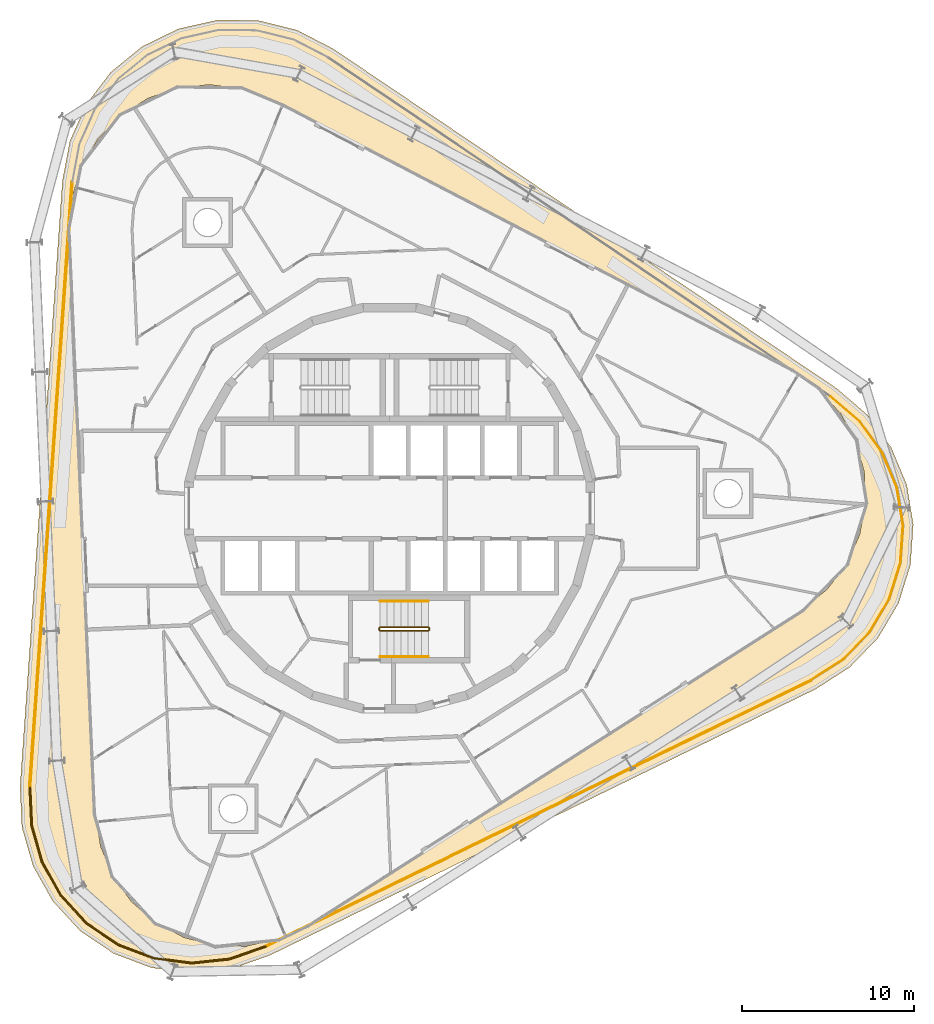
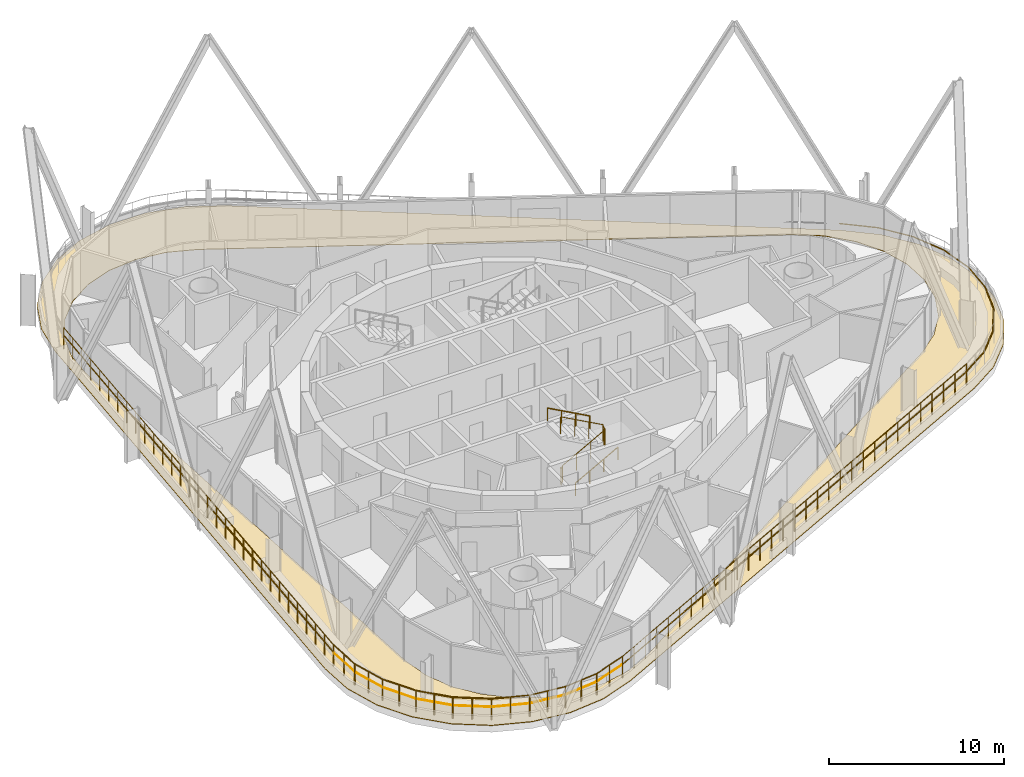
# One storey, part 18 of 20: 10 railings, 1 covering.
"""IFC4 building model written with IfcOpenShell, lengths in metres."""

import ifcopenshell
import ifcopenshell.guid

model = None  # the IFC model being written
_history = None  # IfcOwnerHistory: only IFC2X3 demands one
_inside = {}  # id of a spatial element -> (the spatial element, [elements in it])
_under = {}  # id of a project, library or spatial element -> (it, [spatial elements below it])
_declared = {}  # id of a project -> (the project, [libraries it declares])
_typed = {}  # id of a type object -> (the type object, [elements of that type])
_made_of = {}  # id of a material, layer set ... -> (it, [elements and type objects made of it])


def new_model(schema):
    """Start an empty IFC model of exactly this schema.

    Asked for "IFC4X3", IfcOpenShell would pick the latest addendum, in which some entities
    have other attributes; the version numbers below select the first issue.
    IFC2X3 requires an IfcOwnerHistory on every rooted entity: one is made here for all.
    """
    global model, _history
    if schema == "IFC4X3":
        model = ifcopenshell.file(schema_version=(4, 3, 0, 0))
    else:
        model = ifcopenshell.file(schema=schema)
    _inside.clear()
    _under.clear()
    _declared.clear()
    _typed.clear()
    _made_of.clear()
    _history = None
    if model.schema == "IFC2X3":
        org = make("IfcOrganization", Name="unknown")
        user = make(
            "IfcPersonAndOrganization",
            ThePerson=make("IfcPerson", FamilyName="unknown"),
            TheOrganization=org,
        )
        app = make(
            "IfcApplication",
            ApplicationDeveloper=org,
            Version="unknown",
            ApplicationFullName="unknown",
            ApplicationIdentifier="unknown",
        )
        _history = make(
            "IfcOwnerHistory",
            OwningUser=user,
            OwningApplication=app,
            ChangeAction="ADDED",
            CreationDate=0,
        )
    return model


def make(cls, **values):
    """One entity of the class cls with the attributes given. An attribute that is None is left unset."""
    return model.create_entity(
        cls, **{name: value for name, value in values.items() if value is not None}
    )


def rooted(cls, **values):
    """An entity with a GlobalId (a new one), such as an element, a storey or a relation."""
    return make(cls, GlobalId=ifcopenshell.guid.new(), OwnerHistory=_history, **values)


def si_unit(unit_type, name, prefix=None):
    """IfcSIUnit, for example si_unit("LENGTHUNIT", "METRE", prefix="MILLI")."""
    return make("IfcSIUnit", UnitType=unit_type, Prefix=prefix, Name=name)


def assignment(units):
    """IfcUnitAssignment: the units of a project."""
    return None if units is None else make("IfcUnitAssignment", Units=units)


def point(xyz):
    """IfcCartesianPoint."""
    return None if xyz is None else make("IfcCartesianPoint", Coordinates=xyz)


def direction(xyz):
    """IfcDirection."""
    return None if xyz is None else make("IfcDirection", DirectionRatios=xyz)


def frame(location, z_axis=None, x_axis=None):
    """IfcAxis2Placement3D, a coordinate frame: its origin and axes. An axis left out is left unset."""
    return make(
        "IfcAxis2Placement3D",
        Location=point(location),
        Axis=direction(z_axis),
        RefDirection=direction(x_axis),
    )


def frame_2d(location, x_axis=None):
    """IfcAxis2Placement2D, a coordinate frame in the plane: its origin and x axis."""
    return make(
        "IfcAxis2Placement2D", Location=point(location), RefDirection=direction(x_axis)
    )


def origin():
    """The frame at (0, 0, 0) with its axes left unset."""
    return frame((0.0, 0.0, 0.0))


def origin_2d():
    """The frame at (0, 0) in the plane with its x axis left unset."""
    return frame_2d((0.0, 0.0))


def place(relative_to, where):
    """IfcLocalPlacement: puts the frame where relative to a parent placement (None: the world)."""
    return make(
        "IfcLocalPlacement", PlacementRelTo=relative_to, RelativePlacement=where
    )


def context(
    kind, dimensions, precision=None, world=None, true_north=None, identifier=None
):
    """IfcGeometricRepresentationContext, for example the 3D "Model" context."""
    return make(
        "IfcGeometricRepresentationContext",
        ContextIdentifier=identifier,
        ContextType=kind,
        CoordinateSpaceDimension=dimensions,
        Precision=precision,
        WorldCoordinateSystem=world,
        TrueNorth=true_north,
    )


def subcontext(parent, identifier, kind, view, scale=None):
    """IfcGeometricRepresentationSubContext, for example "Body" below "Model"."""
    return make(
        "IfcGeometricRepresentationSubContext",
        ContextIdentifier=identifier,
        ContextType=kind,
        ParentContext=parent,
        TargetScale=scale,
        TargetView=view,
    )


def project(units=None, contexts=None):
    """IfcProject with its units and contexts."""
    return rooted(
        "IfcProject",
        Name="project",
        RepresentationContexts=contexts,
        UnitsInContext=assignment(units),
    )


def spatial(cls, under=None, at=None, **own):
    """A site, building, storey or space (cls), placed at a placement, below another one or the project."""
    s = rooted(cls, ObjectPlacement=at, **own)
    if under is not None:
        _under.setdefault(under.id(), (under, []))[1].append(s)
    return s


def polyline(points):
    """IfcPolyline through the points."""
    return make("IfcPolyline", Points=[point(p) for p in points])


def profile(cls, at=None, kind="AREA", **sizes):
    """A parametric profile (cls). Its sizes go by their IFC names, for example OverallWidth=200.0."""
    return make(cls, ProfileType=kind, Position=at, **sizes)


def circle(**sizes):
    """IfcCircleProfileDef."""
    return profile("IfcCircleProfileDef", **sizes)


def outline(outer, holes=None, kind="AREA"):
    """IfcArbitraryClosedProfileDef: a profile drawn as a closed curve; with holes, ...WithVoids."""
    if holes is None:
        return make("IfcArbitraryClosedProfileDef", ProfileType=kind, OuterCurve=outer)
    return make(
        "IfcArbitraryProfileDefWithVoids",
        ProfileType=kind,
        OuterCurve=outer,
        InnerCurves=holes,
    )


def extrude(swept, where, along, depth):
    """IfcExtrudedAreaSolid: the profile swept, set in the frame where, extruded along a direction by depth."""
    return make(
        "IfcExtrudedAreaSolid",
        SweptArea=swept,
        Position=where,
        ExtrudedDirection=direction(along),
        Depth=depth,
    )


def shape(context_of_items, identifier, shape_type, items):
    """IfcShapeRepresentation: the items that make up one representation, for example the "Body"."""
    return make(
        "IfcShapeRepresentation",
        ContextOfItems=context_of_items,
        RepresentationIdentifier=identifier,
        RepresentationType=shape_type,
        Items=items,
    )


def material(Name=None, Category=None):
    """IfcMaterial."""
    return make("IfcMaterial", Name=Name, Category=Category)


def layer(
    of_material, thickness, ventilated=None, Name=None, Category=None, Priority=None
):
    """IfcMaterialLayer: one layer of a wall or slab, of a material (None: an air gap)."""
    return make(
        "IfcMaterialLayer",
        Material=of_material,
        LayerThickness=thickness,
        IsVentilated=ventilated,
        Name=Name,
        Category=Category,
        Priority=Priority,
    )


def layer_set(layers, Name=None):
    """IfcMaterialLayerSet."""
    return make("IfcMaterialLayerSet", MaterialLayers=layers, LayerSetName=Name)


def made_of(thing, what):
    """Note that an element or type object is made of a material, layer set ...; save() writes the relation."""
    if what is not None:
        _made_of.setdefault(what.id(), (what, []))[1].append(thing)
    return thing


def type_object(cls, material=None, **own):
    """A type object (cls), such as IfcWallType, which elements share."""
    return made_of(rooted(cls, **own), material)


def element(
    cls,
    number,
    at=None,
    inside=None,
    cuts=None,
    type_object=None,
    material=None,
    context=None,
    identifier="Body",
    shape_type=None,
    held_by="IfcProductDefinitionShape",
    body=None,
    shapes=None,
    **own,
):
    """One element of the class cls, such as IfcWall. Its Tag is "e" and its number.

    at: its placement. inside: the storey or other place that contains it. cuts: it is an
    opening in that element (IfcRelVoidsElement). A single representation is given by context,
    identifier, shape_type and body (its items); several are given by shapes. held_by: the class
    of the entity that holds the representations. save() writes the other relations.
    """
    e = rooted(cls, Tag="e%d" % number, ObjectPlacement=at, **own)
    if body is not None:
        shapes = [shape(context, identifier, shape_type, body)]
    if shapes is not None:
        e.Representation = make(held_by, Representations=shapes)
    if inside is not None:
        _inside.setdefault(inside.id(), (inside, []))[1].append(e)
    if cuts is not None:
        rooted(
            "IfcRelVoidsElement", RelatingBuildingElement=cuts, RelatedOpeningElement=e
        )
    if type_object is not None:
        _typed.setdefault(type_object.id(), (type_object, []))[1].append(e)
    return made_of(e, material)


def aggregate(whole, parts):
    """IfcRelAggregates: a whole, such as a stair, and the parts it consists of."""
    return rooted("IfcRelAggregates", RelatingObject=whole, RelatedObjects=parts)


def save(model, path):
    """Write the relations noted so far, then the file.

    IfcRelAggregates (storeys below a building ...), IfcRelContainedInSpatialStructure (elements
    in a storey), IfcRelDefinesByType, IfcRelAssociatesMaterial and IfcRelDeclares: one each for
    every whole, place, type object, material and project.
    """
    for whole, parts in _under.values():
        aggregate(whole, parts)
    for where, things in _inside.values():
        rooted(
            "IfcRelContainedInSpatialStructure",
            RelatedElements=things,
            RelatingStructure=where,
        )
    for kind, things in _typed.values():
        rooted("IfcRelDefinesByType", RelatedObjects=things, RelatingType=kind)
    for what, things in _made_of.values():
        rooted("IfcRelAssociatesMaterial", RelatedObjects=things, RelatingMaterial=what)
    for by, libraries in _declared.values():
        rooted("IfcRelDeclares", RelatingContext=by, RelatedDefinitions=libraries)
    model.write(path)


model = new_model("IFC4")

# Units and contexts
model_context = context("Model", 3, precision=1e-05, world=origin(), true_north=direction((0.0, 1.0)))
body_context = subcontext(model_context, "Body", "Model", "MODEL_VIEW")
ifc_project = project(units=[si_unit("LENGTHUNIT", "METRE"), si_unit("AREAUNIT", "SQUARE_METRE"), si_unit("VOLUMEUNIT", "CUBIC_METRE"), si_unit("PLANEANGLEUNIT", "RADIAN"), si_unit("MASSUNIT", "GRAM", prefix="KILO")], contexts=[model_context])

# Site, building, storey
site_placement = place(None, origin())
site = spatial("IfcSite", under=ifc_project, at=site_placement, CompositionType="ELEMENT")
building_placement = place(site_placement, origin())
building = spatial("IfcBuilding", under=site, at=building_placement, Name="Spindle Arch Residences", CompositionType="ELEMENT")
storey_placement = place(building_placement, frame((0.0, 0.0, 226.699951171875)))
storey = spatial("IfcBuildingStorey", under=building, at=storey_placement, Name="L57", CompositionType="ELEMENT", Elevation=226.699951171875)

# Railings
ifc_material_1 = material(Name="Steel, painted", Category="steel")
railing_type_1 = type_object("IfcRailingType", Name="Stair guard 1100", PredefinedType="GUARDRAIL", material=ifc_material_1)
railing_1_placement = place(storey_placement, frame((-0.550048828125, -6.89990234375, 3.5)))
element("IfcRailing", 1, at=railing_1_placement, inside=storey, type_object=railing_type_1, Name="L57 ST3 stair guard 1", PredefinedType="GUARDRAIL", context=body_context, shape_type="SweptSolid", body=[
    extrude(circle(Radius=0.02392578125, at=origin_2d()), frame((0.0, 0.0, 1.17578125), z_axis=(0.877374661878, 0.0, -0.479805901063), x_axis=(0.0, 1.0, 0.0)), (0.0, 0.0, 1.0), 3.19140625),
    extrude(circle(Radius=0.02392578125, at=origin_2d()), frame((2.800048828125, 0.0, -0.35546875), z_axis=(0.217683172539, -0.217683172539, -0.951434744366), x_axis=(0.707106781187, 0.707106781187, 0.0)), (0.0, 0.0, 1.0), 0.22998046875),
    extrude(circle(Radius=0.02392578125, at=origin_2d()), frame((2.85009765625, -0.050048828125, -0.57421875), z_axis=(0.0, -1.0, 0.0), x_axis=(1.0, 0.0, 0.0)), (0.0, 0.0, 1.0), 0.1201171875),
    extrude(circle(Radius=0.02392578125, at=origin_2d()), frame((2.85009765625, -0.170166015625, -0.57421875), z_axis=(-0.707106781187, -0.707106781187, 0.0), x_axis=(0.707106781187, -0.707106781187, 0.0)), (0.0, 0.0, 1.0), 0.07080078125),
    extrude(circle(Radius=0.02392578125, at=origin_2d()), frame((2.800048828125, -0.22021484375, -0.57421875), z_axis=(-0.877374661878, 0.0, -0.479805901063), x_axis=(0.0, -1.0, 0.0)), (0.0, 0.0, 1.0), 3.19140625),
    extrude(circle(Radius=0.02392578125, at=origin_2d()), frame((0.0, -0.22021484375, -2.10546875), z_axis=(-0.217683172539, 0.217683172539, -0.951434744366), x_axis=(-0.707106781187, -0.707106781187, 0.0)), (0.0, 0.0, 1.0), 0.22998046875),
    extrude(circle(Radius=0.02392578125, at=origin_2d()), frame((-0.050048828125, -0.170166015625, -2.32421875), z_axis=(0.0, 1.0, 0.0), x_axis=(-1.0, 0.0, 0.0)), (0.0, 0.0, 1.0), 0.1201171875),
    extrude(circle(Radius=0.02099609375, at=origin_2d()), origin(), (0.0, 0.0, 1.0), 1.15185546875),
    extrude(circle(Radius=0.02099609375, at=origin_2d()), frame((0.933349609375, 0.0, -0.510498046875)), (0.0, 0.0, 1.0), 1.15185546875),
    extrude(circle(Radius=0.02099609375, at=origin_2d()), frame((1.86669921875, 0.0, -1.020751953125)), (0.0, 0.0, 1.0), 1.15185546875),
    extrude(circle(Radius=0.02099609375, at=origin_2d()), frame((2.800048828125, 0.0, -1.53125)), (0.0, 0.0, 1.0), 1.15185546875),
    extrude(circle(Radius=0.02099609375, at=origin_2d()), frame((2.85009765625, -0.050048828125, -1.75)), (0.0, 0.0, 1.0), 1.15185546875),
    extrude(circle(Radius=0.02099609375, at=origin_2d()), frame((2.85009765625, -0.170166015625, -1.75)), (0.0, 0.0, 1.0), 1.15185546875),
    extrude(circle(Radius=0.02099609375, at=origin_2d()), frame((2.800048828125, -0.22021484375, -1.75)), (0.0, 0.0, 1.0), 1.15185546875),
    extrude(circle(Radius=0.02099609375, at=origin_2d()), frame((1.86669921875, -0.22021484375, -2.260498046875)), (0.0, 0.0, 1.0), 1.15185546875),
    extrude(circle(Radius=0.02099609375, at=origin_2d()), frame((0.933349609375, -0.22021484375, -2.770751953125)), (0.0, 0.0, 1.0), 1.15185546875),
    extrude(circle(Radius=0.02099609375, at=origin_2d()), frame((0.0, -0.22021484375, -3.28125)), (0.0, 0.0, 1.0), 1.15185546875),
    extrude(circle(Radius=0.02099609375, at=origin_2d()), frame((-0.050048828125, -0.170166015625, -3.5)), (0.0, 0.0, 1.0), 1.15185546875),
    extrude(circle(Radius=0.02099609375, at=origin_2d()), frame((-0.050048828125, -0.050048828125, -3.5)), (0.0, 0.0, 1.0), 1.15185546875),
])
ifc_material_2 = material(Name="Steel, painted", Category="steel")
railing_type_2 = type_object("IfcRailingType", Name="Stair handrail 900", PredefinedType="HANDRAIL", material=ifc_material_2)
railing_2_placement = place(storey_placement, frame((-0.550048828125, -8.6201171875, 0.21875)))
element("IfcRailing", 2, at=railing_2_placement, inside=storey, type_object=railing_type_2, Name="L57 ST3 stair handrail 1", PredefinedType="HANDRAIL", context=body_context, shape_type="SweptSolid", body=[
    extrude(circle(Radius=0.02392578125, at=origin_2d()), frame((0.0, 0.0, 0.8759765625), z_axis=(0.877374661878, 0.0, 0.479805901063), x_axis=(0.0, 1.0, 0.0)), (0.0, 0.0, 1.0), 3.19140625),
    extrude(circle(Radius=0.02099609375, at=origin_2d()), origin(), (0.0, 0.0, 1.0), 0.851806640625),
    extrude(circle(Radius=0.02099609375, at=origin_2d()), frame((0.933349609375, 0.0, 0.510498046875)), (0.0, 0.0, 1.0), 0.851806640625),
    extrude(circle(Radius=0.02099609375, at=origin_2d()), frame((1.86669921875, 0.0, 1.020751953125)), (0.0, 0.0, 1.0), 0.851806640625),
    extrude(circle(Radius=0.02099609375, at=origin_2d()), frame((2.800048828125, 0.0, 1.53125)), (0.0, 0.0, 1.0), 0.851806640625),
])
railing_3_placement = place(storey_placement, frame((2.25, -5.39990234375, 1.96875)))
element("IfcRailing", 3, at=railing_3_placement, inside=storey, type_object=railing_type_2, Name="L57 ST3 stair handrail 2", PredefinedType="HANDRAIL", context=body_context, shape_type="SweptSolid", body=[
    extrude(circle(Radius=0.02392578125, at=origin_2d()), frame((0.0, 0.0, 0.8759765625), z_axis=(-0.877374661878, 0.0, 0.479805901063), x_axis=(0.0, -1.0, 0.0)), (0.0, 0.0, 1.0), 3.19140625),
    extrude(circle(Radius=0.02099609375, at=origin_2d()), origin(), (0.0, 0.0, 1.0), 0.851806640625),
    extrude(circle(Radius=0.02099609375, at=origin_2d()), frame((-0.933349609375, 0.0, 0.510498046875)), (0.0, 0.0, 1.0), 0.851806640625),
    extrude(circle(Radius=0.02099609375, at=origin_2d()), frame((-1.86669921875, 0.0, 1.020751953125)), (0.0, 0.0, 1.0), 0.851806640625),
    extrude(circle(Radius=0.02099609375, at=origin_2d()), frame((-2.800048828125, 0.0, 1.53125)), (0.0, 0.0, 1.0), 0.851806640625),
])
ifc_material_3 = material(Name="Bronze anodised aluminium guard with glass infill", Category="aluminium")
railing_type_3 = type_object("IfcRailingType", Name="Terrace guard 1500", PredefinedType="GUARDRAIL", material=ifc_material_3)
railing_4_placement = place(storey_placement, frame((24.469482421875, -10.017822265625, 0.030029296875)))
element("IfcRailing", 4, at=railing_4_placement, inside=storey, type_object=railing_type_3, Name="Terrace guard L56 1", PredefinedType="GUARDRAIL", context=body_context, shape_type="SweptSolid", body=[
    extrude(circle(Radius=0.02392578125, at=origin_2d()), frame((0.0, 0.0, 1.47607421875), z_axis=(-0.898793105622, -0.438373075458, 0.0), x_axis=(0.438373075458, -0.898793105622, 0.0)), (0.0, 0.0, 1.0), 35.203125),
    extrude(circle(Radius=0.02099609375, at=origin_2d()), origin(), (0.0, 0.0, 1.0), 1.451904296875),
    extrude(circle(Radius=0.02099609375, at=origin_2d()), frame((-1.0546875, -0.514404296875, 0.0)), (0.0, 0.0, 1.0), 1.451904296875),
    extrude(circle(Radius=0.02099609375, at=origin_2d()), frame((-2.109375, -1.02880859375, 0.0)), (0.0, 0.0, 1.0), 1.451904296875),
    extrude(circle(Radius=0.02099609375, at=origin_2d()), frame((-3.1640625, -1.543212890625, 0.0)), (0.0, 0.0, 1.0), 1.451904296875),
    extrude(circle(Radius=0.02099609375, at=origin_2d()), frame((-4.21875, -2.0576171875, 0.0)), (0.0, 0.0, 1.0), 1.451904296875),
    extrude(circle(Radius=0.02099609375, at=origin_2d()), frame((-5.2734375, -2.572021484375, 0.0)), (0.0, 0.0, 1.0), 1.451904296875),
    extrude(circle(Radius=0.02099609375, at=origin_2d()), frame((-6.328125, -3.08642578125, 0.0)), (0.0, 0.0, 1.0), 1.451904296875),
    extrude(circle(Radius=0.02099609375, at=origin_2d()), frame((-7.3828125, -3.600830078125, 0.0)), (0.0, 0.0, 1.0), 1.451904296875),
    extrude(circle(Radius=0.02099609375, at=origin_2d()), frame((-8.4375, -4.115234375, 0.0)), (0.0, 0.0, 1.0), 1.451904296875),
    extrude(circle(Radius=0.02099609375, at=origin_2d()), frame((-9.4921875, -4.629638671875, 0.0)), (0.0, 0.0, 1.0), 1.451904296875),
    extrude(circle(Radius=0.02099609375, at=origin_2d()), frame((-10.546875, -5.14404296875, 0.0)), (0.0, 0.0, 1.0), 1.451904296875),
    extrude(circle(Radius=0.02099609375, at=origin_2d()), frame((-11.6015625, -5.658447265625, 0.0)), (0.0, 0.0, 1.0), 1.451904296875),
    extrude(circle(Radius=0.02099609375, at=origin_2d()), frame((-12.65625, -6.1728515625, 0.0)), (0.0, 0.0, 1.0), 1.451904296875),
    extrude(circle(Radius=0.02099609375, at=origin_2d()), frame((-13.7109375, -6.687255859375, 0.0)), (0.0, 0.0, 1.0), 1.451904296875),
    extrude(circle(Radius=0.02099609375, at=origin_2d()), frame((-14.765625, -7.20166015625, 0.0)), (0.0, 0.0, 1.0), 1.451904296875),
    extrude(circle(Radius=0.02099609375, at=origin_2d()), frame((-15.8203125, -7.716064453125, 0.0)), (0.0, 0.0, 1.0), 1.451904296875),
    extrude(circle(Radius=0.02099609375, at=origin_2d()), frame((-16.874755859375, -8.23046875, 0.0)), (0.0, 0.0, 1.0), 1.451904296875),
    extrude(circle(Radius=0.02099609375, at=origin_2d()), frame((-17.929443359375, -8.744873046875, 0.0)), (0.0, 0.0, 1.0), 1.451904296875),
    extrude(circle(Radius=0.02099609375, at=origin_2d()), frame((-18.984130859375, -9.25927734375, 0.0)), (0.0, 0.0, 1.0), 1.451904296875),
    extrude(circle(Radius=0.02099609375, at=origin_2d()), frame((-20.038818359375, -9.773681640625, 0.0)), (0.0, 0.0, 1.0), 1.451904296875),
    extrude(circle(Radius=0.02099609375, at=origin_2d()), frame((-21.093505859375, -10.2880859375, 0.0)), (0.0, 0.0, 1.0), 1.451904296875),
    extrude(circle(Radius=0.02099609375, at=origin_2d()), frame((-22.148193359375, -10.802490234375, 0.0)), (0.0, 0.0, 1.0), 1.451904296875),
    extrude(circle(Radius=0.02099609375, at=origin_2d()), frame((-23.202880859375, -11.31689453125, 0.0)), (0.0, 0.0, 1.0), 1.451904296875),
    extrude(circle(Radius=0.02099609375, at=origin_2d()), frame((-24.257568359375, -11.831298828125, 0.0)), (0.0, 0.0, 1.0), 1.451904296875),
    extrude(circle(Radius=0.02099609375, at=origin_2d()), frame((-25.312255859375, -12.345703125, 0.0)), (0.0, 0.0, 1.0), 1.451904296875),
    extrude(circle(Radius=0.02099609375, at=origin_2d()), frame((-26.366943359375, -12.860107421875, 0.0)), (0.0, 0.0, 1.0), 1.451904296875),
    extrude(circle(Radius=0.02099609375, at=origin_2d()), frame((-27.421630859375, -13.37451171875, 0.0)), (0.0, 0.0, 1.0), 1.451904296875),
    extrude(circle(Radius=0.02099609375, at=origin_2d()), frame((-28.476318359375, -13.888916015625, 0.0)), (0.0, 0.0, 1.0), 1.451904296875),
    extrude(circle(Radius=0.02099609375, at=origin_2d()), frame((-29.531005859375, -14.4033203125, 0.0)), (0.0, 0.0, 1.0), 1.451904296875),
    extrude(circle(Radius=0.02099609375, at=origin_2d()), frame((-30.585693359375, -14.917724609375, 0.0)), (0.0, 0.0, 1.0), 1.451904296875),
    extrude(circle(Radius=0.02099609375, at=origin_2d()), frame((-31.640380859375, -15.43212890625, 0.0)), (0.0, 0.0, 1.0), 1.451904296875),
])
railing_5_placement = place(storey_placement, frame((-7.1708984375, -25.449951171875, 0.030029296875)))
element("IfcRailing", 5, at=railing_5_placement, inside=storey, type_object=railing_type_3, Name="Terrace guard L56 2", PredefinedType="GUARDRAIL", context=body_context, shape_type="SweptSolid", body=[
    extrude(circle(Radius=0.02392578125, at=origin_2d()), frame((0.0, 0.0, 1.47607421875), z_axis=(-0.943616048417, -0.331041920564, 0.0), x_axis=(0.331041920564, -0.943616048417, 0.0)), (0.0, 0.0, 1.0), 2.24853515625),
    extrude(circle(Radius=0.02392578125, at=origin_2d()), frame((-2.121826171875, -0.744384765625, 1.47607421875), z_axis=(-0.994521736666, -0.104529973208, 0.0), x_axis=(0.104529973208, -0.994521736666, 0.0)), (0.0, 0.0, 1.0), 2.216552734375),
    extrude(circle(Radius=0.02392578125, at=origin_2d()), frame((-4.326171875, -0.97607421875, 1.47607421875), z_axis=(-0.991818850742, 0.127653309052, 0.0), x_axis=(-0.127653309052, -0.991818850742, 0.0)), (0.0, 0.0, 1.0), 2.216552734375),
    extrude(circle(Radius=0.02392578125, at=origin_2d()), frame((-6.524658203125, -0.693115234375, 1.47607421875), z_axis=(-0.935648394938, 0.352933536306, 0.0), x_axis=(-0.352933536306, -0.935648394938, 0.0)), (0.0, 0.0, 1.0), 2.21630859375),
    extrude(circle(Radius=0.02392578125, at=origin_2d()), frame((-8.598388671875, 0.089111328125, 1.47607421875), z_axis=(-0.829038880033, 0.55919096505, 0.0), x_axis=(-0.55919096505, -0.829038880033, 0.0)), (0.0, 0.0, 1.0), 2.216552734375),
    extrude(circle(Radius=0.02392578125, at=origin_2d()), frame((-10.43603515625, 1.32861328125, 1.47607421875), z_axis=(-0.677772110258, 0.73527203575, 0.0), x_axis=(-0.73527203575, -0.677772110258, 0.0)), (0.0, 0.0, 1.0), 2.21630859375),
    extrude(circle(Radius=0.02392578125, at=origin_2d()), frame((-11.938232421875, 2.958251953125, 1.47607421875), z_axis=(-0.489827124724, 0.871819584481, 0.0), x_axis=(-0.871819584481, -0.489827124724, 0.0)), (0.0, 0.0, 1.0), 2.216552734375),
    extrude(circle(Radius=0.02392578125, at=origin_2d()), frame((-13.02392578125, 4.890625, 1.47607421875), z_axis=(-0.275695675779, 0.961244971044, 0.0), x_axis=(-0.961244971044, -0.275695675779, 0.0)), (0.0, 0.0, 1.0), 2.216552734375),
    extrude(circle(Radius=0.02392578125, at=origin_2d()), frame((-13.635009765625, 7.021240234375, 1.47607421875), z_axis=(-0.046466438054, 0.998919851707, 0.0), x_axis=(-0.998919851707, -0.046466438054, 0.0)), (0.0, 0.0, 1.0), 2.248779296875),
    extrude(circle(Radius=0.02099609375, at=origin_2d()), origin(), (0.0, 0.0, 1.0), 1.451904296875),
    extrude(circle(Radius=0.02099609375, at=origin_2d()), frame((-1.06103515625, -0.3720703125, 0.0)), (0.0, 0.0, 1.0), 1.451904296875),
    extrude(circle(Radius=0.02099609375, at=origin_2d()), frame((-2.121826171875, -0.744384765625, 0.0)), (0.0, 0.0, 1.0), 1.451904296875),
    extrude(circle(Radius=0.02099609375, at=origin_2d()), frame((-3.22412109375, -0.8603515625, 0.0)), (0.0, 0.0, 1.0), 1.451904296875),
    extrude(circle(Radius=0.02099609375, at=origin_2d()), frame((-4.326171875, -0.97607421875, 0.0)), (0.0, 0.0, 1.0), 1.451904296875),
    extrude(circle(Radius=0.02099609375, at=origin_2d()), frame((-5.42529296875, -0.83447265625, 0.0)), (0.0, 0.0, 1.0), 1.451904296875),
    extrude(circle(Radius=0.02099609375, at=origin_2d()), frame((-6.524658203125, -0.693115234375, 0.0)), (0.0, 0.0, 1.0), 1.451904296875),
    extrude(circle(Radius=0.02099609375, at=origin_2d()), frame((-7.5615234375, -0.302001953125, 0.0)), (0.0, 0.0, 1.0), 1.451904296875),
    extrude(circle(Radius=0.02099609375, at=origin_2d()), frame((-8.598388671875, 0.089111328125, 0.0)), (0.0, 0.0, 1.0), 1.451904296875),
    extrude(circle(Radius=0.02099609375, at=origin_2d()), frame((-9.51708984375, 0.708984375, 0.0)), (0.0, 0.0, 1.0), 1.451904296875),
    extrude(circle(Radius=0.02099609375, at=origin_2d()), frame((-10.43603515625, 1.32861328125, 0.0)), (0.0, 0.0, 1.0), 1.451904296875),
    extrude(circle(Radius=0.02099609375, at=origin_2d()), frame((-11.18701171875, 2.1435546875, 0.0)), (0.0, 0.0, 1.0), 1.451904296875),
    extrude(circle(Radius=0.02099609375, at=origin_2d()), frame((-11.938232421875, 2.958251953125, 0.0)), (0.0, 0.0, 1.0), 1.451904296875),
    extrude(circle(Radius=0.02099609375, at=origin_2d()), frame((-12.48095703125, 3.92431640625, 0.0)), (0.0, 0.0, 1.0), 1.451904296875),
    extrude(circle(Radius=0.02099609375, at=origin_2d()), frame((-13.02392578125, 4.890625, 0.0)), (0.0, 0.0, 1.0), 1.451904296875),
    extrude(circle(Radius=0.02099609375, at=origin_2d()), frame((-13.32958984375, 5.9560546875, 0.0)), (0.0, 0.0, 1.0), 1.451904296875),
    extrude(circle(Radius=0.02099609375, at=origin_2d()), frame((-13.635009765625, 7.021240234375, 0.0)), (0.0, 0.0, 1.0), 1.451904296875),
    extrude(circle(Radius=0.02099609375, at=origin_2d()), frame((-13.687255859375, 8.14453125, 0.0)), (0.0, 0.0, 1.0), 1.451904296875),
    extrude(circle(Radius=0.02099609375, at=origin_2d()), frame((-13.739501953125, 9.267578125, 0.0)), (0.0, 0.0, 1.0), 1.451904296875),
])
railing_6_placement = place(storey_placement, frame((-20.910400390625, -16.182373046875, 0.030029296875)))
element("IfcRailing", 6, at=railing_6_placement, inside=storey, type_object=railing_type_3, Name="Terrace guard L56 3", PredefinedType="GUARDRAIL", context=body_context, shape_type="SweptSolid", body=[
    extrude(circle(Radius=0.02392578125, at=origin_2d()), frame((0.0, 0.0, 1.47607421875), z_axis=(0.069754109609, 0.997564215573, 0.0), x_axis=(-0.997564215573, 0.069754109609, 0.0)), (0.0, 0.0, 1.0), 35.203125),
    extrude(circle(Radius=0.02099609375, at=origin_2d()), origin(), (0.0, 0.0, 1.0), 1.451904296875),
    extrude(circle(Radius=0.02099609375, at=origin_2d()), frame((0.081787109375, 1.170654296875, 0.0)), (0.0, 0.0, 1.0), 1.451904296875),
    extrude(circle(Radius=0.02099609375, at=origin_2d()), frame((0.163818359375, 2.341064453125, 0.0)), (0.0, 0.0, 1.0), 1.451904296875),
    extrude(circle(Radius=0.02099609375, at=origin_2d()), frame((0.24560546875, 3.51171875, 0.0)), (0.0, 0.0, 1.0), 1.451904296875),
    extrude(circle(Radius=0.02099609375, at=origin_2d()), frame((0.327392578125, 4.682373046875, 0.0)), (0.0, 0.0, 1.0), 1.451904296875),
    extrude(circle(Radius=0.02099609375, at=origin_2d()), frame((0.4091796875, 5.85302734375, 0.0)), (0.0, 0.0, 1.0), 1.451904296875),
    extrude(circle(Radius=0.02099609375, at=origin_2d()), frame((0.4912109375, 7.0234375, 0.0)), (0.0, 0.0, 1.0), 1.451904296875),
    extrude(circle(Radius=0.02099609375, at=origin_2d()), frame((0.572998046875, 8.194091796875, 0.0)), (0.0, 0.0, 1.0), 1.451904296875),
    extrude(circle(Radius=0.02099609375, at=origin_2d()), frame((0.65478515625, 9.36474609375, 0.0)), (0.0, 0.0, 1.0), 1.451904296875),
    extrude(circle(Radius=0.02099609375, at=origin_2d()), frame((0.736572265625, 10.53515625, 0.0)), (0.0, 0.0, 1.0), 1.451904296875),
    extrude(circle(Radius=0.02099609375, at=origin_2d()), frame((0.818603515625, 11.705810546875, 0.0)), (0.0, 0.0, 1.0), 1.451904296875),
    extrude(circle(Radius=0.02099609375, at=origin_2d()), frame((0.900390625, 12.87646484375, 0.0)), (0.0, 0.0, 1.0), 1.451904296875),
    extrude(circle(Radius=0.02099609375, at=origin_2d()), frame((0.982177734375, 14.046875, 0.0)), (0.0, 0.0, 1.0), 1.451904296875),
    extrude(circle(Radius=0.02099609375, at=origin_2d()), frame((1.06396484375, 15.217529296875, 0.0)), (0.0, 0.0, 1.0), 1.451904296875),
    extrude(circle(Radius=0.02099609375, at=origin_2d()), frame((1.14599609375, 16.38818359375, 0.0)), (0.0, 0.0, 1.0), 1.451904296875),
    extrude(circle(Radius=0.02099609375, at=origin_2d()), frame((1.227783203125, 17.55859375, 0.0)), (0.0, 0.0, 1.0), 1.451904296875),
    extrude(circle(Radius=0.02099609375, at=origin_2d()), frame((1.3095703125, 18.729248046875, 0.0)), (0.0, 0.0, 1.0), 1.451904296875),
    extrude(circle(Radius=0.02099609375, at=origin_2d()), frame((1.3916015625, 19.89990234375, 0.0)), (0.0, 0.0, 1.0), 1.451904296875),
    extrude(circle(Radius=0.02099609375, at=origin_2d()), frame((1.473388671875, 21.070556640625, 0.0)), (0.0, 0.0, 1.0), 1.451904296875),
    extrude(circle(Radius=0.02099609375, at=origin_2d()), frame((1.55517578125, 22.240966796875, 0.0)), (0.0, 0.0, 1.0), 1.451904296875),
    extrude(circle(Radius=0.02099609375, at=origin_2d()), frame((1.636962890625, 23.41162109375, 0.0)), (0.0, 0.0, 1.0), 1.451904296875),
    extrude(circle(Radius=0.02099609375, at=origin_2d()), frame((1.718994140625, 24.582275390625, 0.0)), (0.0, 0.0, 1.0), 1.451904296875),
    extrude(circle(Radius=0.02099609375, at=origin_2d()), frame((1.80078125, 25.752685546875, 0.0)), (0.0, 0.0, 1.0), 1.451904296875),
    extrude(circle(Radius=0.02099609375, at=origin_2d()), frame((1.882568359375, 26.92333984375, 0.0)), (0.0, 0.0, 1.0), 1.451904296875),
    extrude(circle(Radius=0.02099609375, at=origin_2d()), frame((1.96435546875, 28.093994140625, 0.0)), (0.0, 0.0, 1.0), 1.451904296875),
    extrude(circle(Radius=0.02099609375, at=origin_2d()), frame((2.04638671875, 29.2646484375, 0.0)), (0.0, 0.0, 1.0), 1.451904296875),
    extrude(circle(Radius=0.02099609375, at=origin_2d()), frame((2.128173828125, 30.43505859375, 0.0)), (0.0, 0.0, 1.0), 1.451904296875),
    extrude(circle(Radius=0.02099609375, at=origin_2d()), frame((2.2099609375, 31.605712890625, 0.0)), (0.0, 0.0, 1.0), 1.451904296875),
    extrude(circle(Radius=0.02099609375, at=origin_2d()), frame((2.291748046875, 32.7763671875, 0.0)), (0.0, 0.0, 1.0), 1.451904296875),
    extrude(circle(Radius=0.02099609375, at=origin_2d()), frame((2.373779296875, 33.94677734375, 0.0)), (0.0, 0.0, 1.0), 1.451904296875),
    extrude(circle(Radius=0.02099609375, at=origin_2d()), frame((2.45556640625, 35.117431640625, 0.0)), (0.0, 0.0, 1.0), 1.451904296875),
])
ifc_material_4 = material(Name="Bronze anodised aluminium handrail", Category="aluminium")
railing_type_4 = type_object("IfcRailingType", Name="Terrace handrail 900", PredefinedType="HANDRAIL", material=ifc_material_4)
railing_7_placement = place(storey_placement, frame((24.448974609375, -9.981201171875, 0.030029296875)))
element("IfcRailing", 7, at=railing_7_placement, inside=storey, type_object=railing_type_4, Name="Terrace handrail L56 1", PredefinedType="HANDRAIL", context=body_context, shape_type="SweptSolid", body=[
    extrude(circle(Radius=0.02392578125, at=origin_2d()), frame((0.0, 0.0, 0.8759765625), z_axis=(-0.898793708949, -0.438371838459, 0.0), x_axis=(0.438371838459, -0.898793708949, 0.0)), (0.0, 0.0, 1.0), 35.1982421875),
])
railing_8_placement = place(storey_placement, frame((-7.18701171875, -25.4111328125, 0.030029296875)))
element("IfcRailing", 8, at=railing_8_placement, inside=storey, type_object=railing_type_4, Name="Terrace handrail L56 2", PredefinedType="HANDRAIL", context=body_context, shape_type="SweptSolid", body=[
    extrude(circle(Radius=0.02392578125, at=origin_2d()), frame((0.0, 0.0, 0.8759765625), z_axis=(-0.943622069622, -0.331024756964, 0.0), x_axis=(0.331024756964, -0.943622069622, 0.0)), (0.0, 0.0, 1.0), 2.241455078125),
    extrude(circle(Radius=0.02392578125, at=origin_2d()), frame((-2.114990234375, -0.741943359375, 0.8759765625), z_axis=(-0.994519387441, -0.104552321852, 0.0), x_axis=(0.104552321852, -0.994519387441, 0.0)), (0.0, 0.0, 1.0), 2.206787109375),
    extrude(circle(Radius=0.02392578125, at=origin_2d()), frame((-4.3095703125, -0.97265625, 0.8759765625), z_axis=(-0.991816774058, 0.127669443086, 0.0), x_axis=(-0.127669443086, -0.991816774058, 0.0)), (0.0, 0.0, 1.0), 2.206787109375),
    extrude(circle(Radius=0.02392578125, at=origin_2d()), frame((-6.498291015625, -0.69091796875, 0.8759765625), z_axis=(-0.935649977773, 0.352929340085, 0.0), x_axis=(-0.352929340085, -0.935649977773, 0.0)), (0.0, 0.0, 1.0), 2.206787109375),
    extrude(circle(Radius=0.02392578125, at=origin_2d()), frame((-8.56298828125, 0.087890625, 0.8759765625), z_axis=(-0.829042307712, 0.559185883248, 0.0), x_axis=(-0.559185883248, -0.829042307712, 0.0)), (0.0, 0.0, 1.0), 2.20654296875),
    extrude(circle(Radius=0.02392578125, at=origin_2d()), frame((-10.392333984375, 1.32177734375, 0.8759765625), z_axis=(-0.67775608839, 0.735286804349, 0.0), x_axis=(-0.735286804349, -0.67775608839, 0.0)), (0.0, 0.0, 1.0), 2.206787109375),
    extrude(circle(Radius=0.02392578125, at=origin_2d()), frame((-11.887939453125, 2.9443359375, 0.8759765625), z_axis=(-0.489883005832, 0.871788185626, 0.0), x_axis=(-0.871788185626, -0.489883005832, 0.0)), (0.0, 0.0, 1.0), 2.206787109375),
    extrude(circle(Radius=0.02392578125, at=origin_2d()), frame((-12.968994140625, 4.8681640625, 0.8759765625), z_axis=(-0.275612418934, 0.961268846124, 0.0), x_axis=(-0.961268846124, -0.275612418934, 0.0)), (0.0, 0.0, 1.0), 2.20654296875),
    extrude(circle(Radius=0.02392578125, at=origin_2d()), frame((-13.5771484375, 6.9892578125, 0.8759765625), z_axis=(-0.046509423452, 0.998917851242, 0.0), x_axis=(-0.998917851242, -0.046509423452, 0.0)), (0.0, 0.0, 1.0), 2.241455078125),
])
railing_9_placement = place(storey_placement, frame((-20.868408203125, -16.182861328125, 0.030029296875)))
element("IfcRailing", 9, at=railing_9_placement, inside=storey, type_object=railing_type_4, Name="Terrace handrail L56 3", PredefinedType="HANDRAIL", context=body_context, shape_type="SweptSolid", body=[
    extrude(circle(Radius=0.02392578125, at=origin_2d()), frame((0.0, 0.0, 0.8759765625), z_axis=(0.069756860137, 0.997564023241, 0.0), x_axis=(-0.997564023241, 0.069756860137, 0.0)), (0.0, 0.0, 1.0), 35.1982421875),
])
railing_10_placement = place(storey_placement, frame((25.60009765625, 6.4814453125, 0.030029296875)))
element("IfcRailing", 10, at=railing_10_placement, inside=storey, type_object=railing_type_4, Name="Terrace handrail L56 6", PredefinedType="HANDRAIL", context=body_context, shape_type="SweptSolid", body=[
    extrude(circle(Radius=0.02392578125, at=origin_2d()), frame((0.0, 0.0, 0.8759765625), z_axis=(0.758510330597, -0.651661014928, 0.0), x_axis=(0.651661014928, 0.758510330597, 0.0)), (0.0, 0.0, 1.0), 2.241455078125),
    extrude(circle(Radius=0.02392578125, at=origin_2d()), frame((1.7001953125, -1.460693359375, 0.8759765625), z_axis=(0.587822981854, -0.808989580899, 0.0), x_axis=(0.808989580899, 0.587822981854, 0.0)), (0.0, 0.0, 1.0), 2.20654296875),
    extrude(circle(Radius=0.02392578125, at=origin_2d()), frame((2.997314453125, -3.245849609375, 0.8759765625), z_axis=(0.385330120099, -0.922778791772, 0.0), x_axis=(0.922778791772, 0.385330120099, 0.0)), (0.0, 0.0, 1.0), 2.206787109375),
    extrude(circle(Radius=0.02392578125, at=origin_2d()), frame((3.84765625, -5.2822265625, 0.8759765625), z_axis=(0.162191843471, -0.986759244148, 0.0), x_axis=(0.986759244148, 0.162191843471, 0.0)), (0.0, 0.0, 1.0), 2.206787109375),
    extrude(circle(Radius=0.02392578125, at=origin_2d()), frame((4.20556640625, -7.459716796875, 0.8759765625), z_axis=(-0.06981591524, -0.997559891926, 0.0), x_axis=(0.997559891926, -0.06981591524, 0.0)), (0.0, 0.0, 1.0), 2.20654296875),
    extrude(circle(Radius=0.02392578125, at=origin_2d()), frame((4.051513671875, -9.660888671875, 0.8759765625), z_axis=(-0.297947393408, -0.954582291246, 0.0), x_axis=(0.954582291246, -0.297947393408, 0.0)), (0.0, 0.0, 1.0), 2.206787109375),
    extrude(circle(Radius=0.02392578125, at=origin_2d()), frame((3.39404296875, -11.767333984375, 0.8759765625), z_axis=(-0.510014653913, -0.860165712403, 0.0), x_axis=(0.860165712403, -0.510014653913, 0.0)), (0.0, 0.0, 1.0), 2.206787109375),
    extrude(circle(Radius=0.02392578125, at=origin_2d()), frame((2.2685546875, -13.66552734375, 0.8759765625), z_axis=(-0.69460636074, -0.719390021907, 0.0), x_axis=(0.719390021907, -0.69460636074, 0.0)), (0.0, 0.0, 1.0), 2.20654296875),
    extrude(circle(Radius=0.02392578125, at=origin_2d()), frame((0.73583984375, -15.2529296875, 0.8759765625), z_axis=(-0.841853760253, -0.539705703461, 0.0), x_axis=(0.539705703461, -0.841853760253, 0.0)), (0.0, 0.0, 1.0), 2.241455078125),
])

# Covering
ifc_material_5 = material(Name="Non-combustible mineral wool, bituminous membrane and concrete pavers", Category="concrete")
ifc_layer = layer(ifc_material_5, 0.030029296875)
ifc_layer_set = layer_set([ifc_layer], Name="Terrace roofing membrane and pavers")
covering_type = type_object("IfcCoveringType", Name="Terrace roofing membrane and pavers", PredefinedType="ROOFING", material=ifc_layer_set)
covering_placement = place(storey_placement, origin())
element("IfcCovering", 11, at=covering_placement, inside=storey, type_object=covering_type, Name="Terrace roofing L56 1", PredefinedType="ROOFING", context=body_context, shape_type="SweptSolid", body=[
    extrude(outline(polyline([(-6.95849609375, -25.958251953125), (-9.17138671875, -26.734619140625), (-11.50341796875, -26.979736328125), (-13.829345703125, -26.680419921875), (-16.023681640625, -25.852783203125), (-17.9677734375, -24.54150390625), (-19.55712890625, -22.817138671875), (-20.705810546875, -20.772705078125), (-21.352294921875, -18.5185546875), (-21.46142578125, -16.176025390625), (-19.001220703125, 19.00537109375), (-18.567138671875, 21.309814453125), (-17.613525390625, 23.4521484375), (-16.191162109375, 25.31689453125), (-14.37744140625, 26.80322265625), (-12.26953125, 27.831298828125), (-9.981689453125, 28.345458984375), (-7.63671875, 28.318115234375), (-5.361328125, 27.7509765625), (-3.278076171875, 26.674072265625), (25.959716796875, 6.952880859375), (27.738525390625, 5.4248046875), (29.116943359375, 3.527587890625), (30.020751953125, 1.363525390625), (30.40087890625, -0.950439453125), (30.2373046875, -3.289794921875), (29.538818359375, -5.5283203125), (28.342529296875, -7.54541015625), (26.713623046875, -9.232421875), (24.739501953125, -10.498046875), (8.890380859375, -18.228271484375), (-6.95849609375, -25.958251953125)]), holes=[polyline([(23.948486328125, -5.88916015625), (25.388427734375, -4.716064453125), (26.519287109375, -3.242431640625), (27.27978515625, -1.547607421875), (27.62890625, 0.276611328125), (27.5478515625, 2.13232421875), (27.041015625, 3.91943359375), (26.1357421875, 5.541259765625), (24.880859375, 6.910888671875), (23.343994140625, 7.9541015625), (-6.8740234375, 23.6845703125), (-8.610107421875, 24.34521484375), (-10.45166015625, 24.587646484375), (-12.299560546875, 24.398681640625), (-14.053955078125, 23.788818359375), (-15.62060546875, 22.791015625), (-16.914794921875, 21.45849609375), (-17.866943359375, 19.863525390625), (-18.42529296875, 18.092041015625), (-18.560302734375, 16.239501953125), (-17.074462890625, -17.79541015625), (-16.778564453125, -19.629150390625), (-16.067626953125, -21.34521484375), (-14.980224609375, -22.85107421875), (-13.57470703125, -24.065673828125), (-11.92724609375, -24.92333984375), (-10.126220703125, -25.3779296875), (-8.268798828125, -25.405029296875), (-6.45556640625, -25.0029296875), (-4.78369140625, -24.193359375), (9.582275390625, -15.041259765625), (23.948486328125, -5.88916015625)])]), origin(), (0.0, 0.0, 1.0), 0.030029296875),
])

save(model, "model.ifc")
